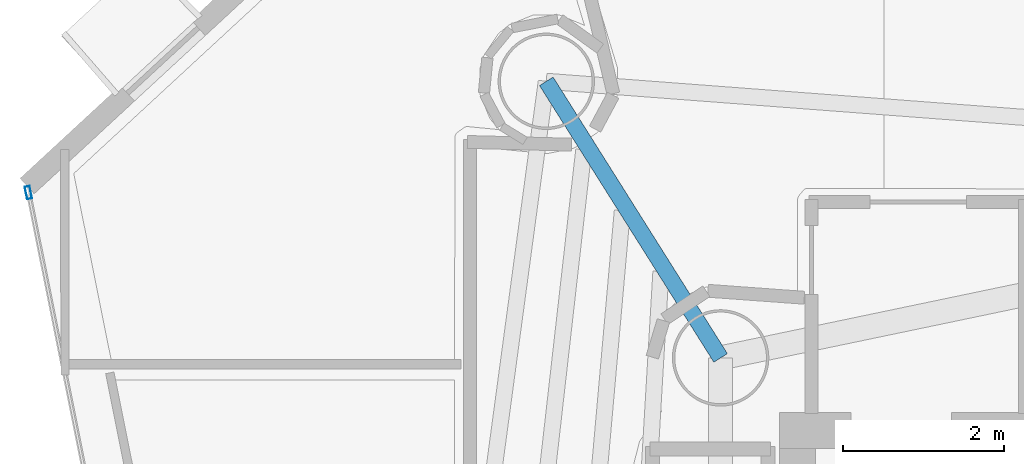
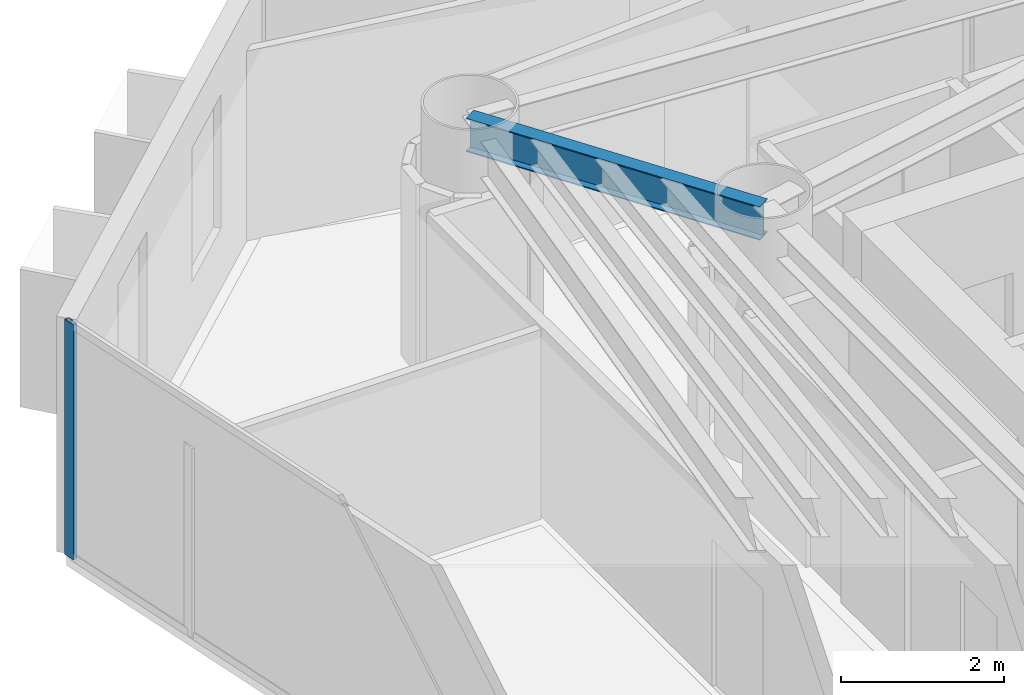
# One storey, part 10 of 22: 1 beam, 1 member, 1 element without a shape of its own.
"""IFC4 building model written with IfcOpenShell, lengths in metres."""

from ifc_helpers import new_model, si_unit, direction, frame, origin, origin_2d, place, context, subcontext, project, spatial, hollow_rectangle, i_section, extrude, material, layer, layer_set, material_profile, profile_set, type_object, element, aggregate, save


model = new_model("IFC4")

# Units and contexts
model_context = context("Model", 3, precision=1e-05, world=origin(), true_north=direction((0.0, 1.0)))
body_context = subcontext(model_context, "Body", "Model", "MODEL_VIEW")
ifc_project = project(units=[si_unit("LENGTHUNIT", "METRE"), si_unit("AREAUNIT", "SQUARE_METRE"), si_unit("VOLUMEUNIT", "CUBIC_METRE"), si_unit("PLANEANGLEUNIT", "RADIAN"), si_unit("MASSUNIT", "GRAM", prefix="KILO")], contexts=[model_context])

# Site, building, storey
site_placement = place(None, origin())
site = spatial("IfcSite", under=ifc_project, at=site_placement, CompositionType="ELEMENT")
building_placement = place(site_placement, origin())
building = spatial("IfcBuilding", under=site, at=building_placement, Name="Qianvela Tower", CompositionType="ELEMENT")
storey_placement = place(building_placement, frame((0.0, 0.0, 200.300048828125)))
storey = spatial("IfcBuildingStorey", under=building, at=storey_placement, Name="L51", CompositionType="ELEMENT", Elevation=200.300048828125)

# Beam
ifc_material_1 = material(Name="Steel Q355B", Category="steel")
ifc_material_profile_1 = material_profile(ifc_material_1, i_section(OverallWidth=0.199951171875, OverallDepth=0.5, WebThickness=0.010009765625, FlangeThickness=0.01611328125, at=origin_2d()), Name="HN500x200x10x16")
ifc_profile_set_1 = profile_set([ifc_material_profile_1], Name="Steel Q355B")
beam_type = type_object("IfcBeamType", Name="BM-HN500-GIRD", PredefinedType="BEAM", material=ifc_profile_set_1)
beam_placement = place(storey_placement, frame((28.60009765625, 33.550048828125, 3.26806640625), z_axis=(-0.533177693809, 0.846003278258, 0.0), x_axis=(-0.846003278258, -0.533177693809, 0.0)))
element("IfcBeam", 1, at=beam_placement, inside=storey, type_object=beam_type, Name="L51 Radial Primary Floor Girder 3", PredefinedType="BEAM", context=body_context, shape_type="SweptSolid", body=[
    extrude(i_section(OverallWidth=0.199951171875, OverallDepth=0.5, WebThickness=0.010009765625, FlangeThickness=0.01611328125, at=origin_2d()), origin(), (0.0, 0.0, 1.0), 4.068359375),
])

# Curtain wall, member
ifc_material_2 = material(Name="Anodised Architectural Aluminium and Low-E Glass", Category="aluminium")
ifc_layer = layer(ifc_material_2, 0.159912109375)
ifc_layer_set = layer_set([ifc_layer], Name="Anodised Architectural Aluminium and Low-E Glass")
curtain_wall_type = type_object("IfcCurtainWallType", Name="CW-COLIV-Z56", PredefinedType="USERDEFINED", material=ifc_layer_set)
curtain_wall_placement = place(storey_placement, origin())
curtain_wall = element("IfcCurtainWall", 2, at=curtain_wall_placement, inside=storey, type_object=curtain_wall_type, Name="L51 CW-COLIV-Z56 Curtain Wall 04A", ObjectType="CURTAIN_WALL_SYSTEM", PredefinedType="USERDEFINED")
ifc_material_3 = material(Name="Anodised Architectural Aluminium 6063-T6", Category="aluminium")
ifc_material_profile_2 = material_profile(ifc_material_3, hollow_rectangle(XDim=0.06494140625, YDim=0.159912109375, WallThickness=0.0048828125, at=origin_2d()), Name="ALU-MULL-65x160")
ifc_profile_set_2 = profile_set([ifc_material_profile_2], Name="Anodised Architectural Aluminium 6063-T6")
member_type = type_object("IfcMemberType", Name="CW-COLIV-Z56-MULL", PredefinedType="MULLION", material=ifc_profile_set_2)
member_placement = place(storey_placement, frame((19.986083984375, 35.607421875, 0.0), z_axis=(0.0, 0.0, 1.0), x_axis=(0.980408284959, 0.196976127446, 0.0)))
member = element("IfcMember", 3, at=member_placement, type_object=member_type, Name="CW-5 mullion 1", PredefinedType="MULLION", context=body_context, shape_type="SweptSolid", body=[
    extrude(hollow_rectangle(XDim=0.06494140625, YDim=0.159912109375, WallThickness=0.0048828125, at=origin_2d()), origin(), (0.0, 0.0, 1.0), 3.52001953125),
])
aggregate(curtain_wall, [member])

save(model, "model.ifc")
